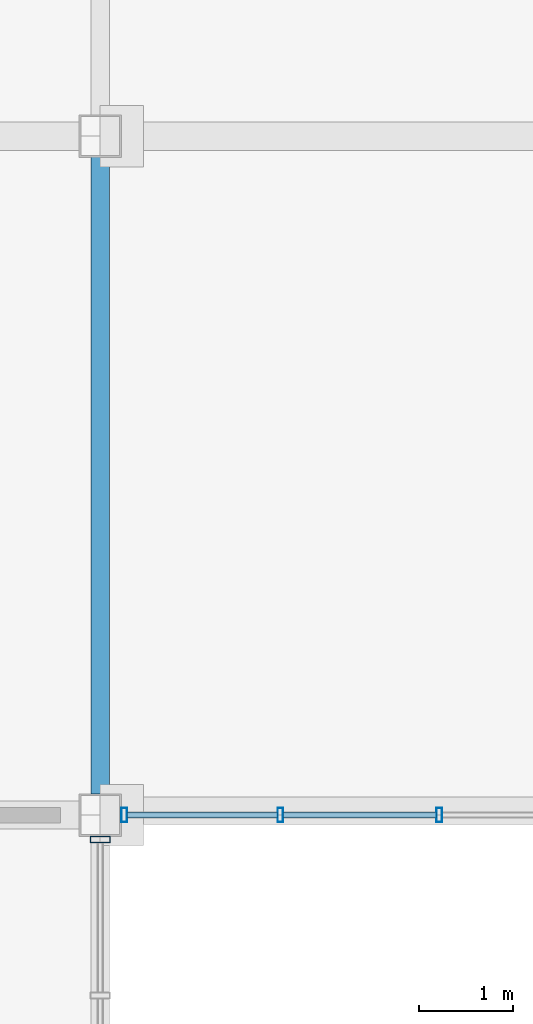
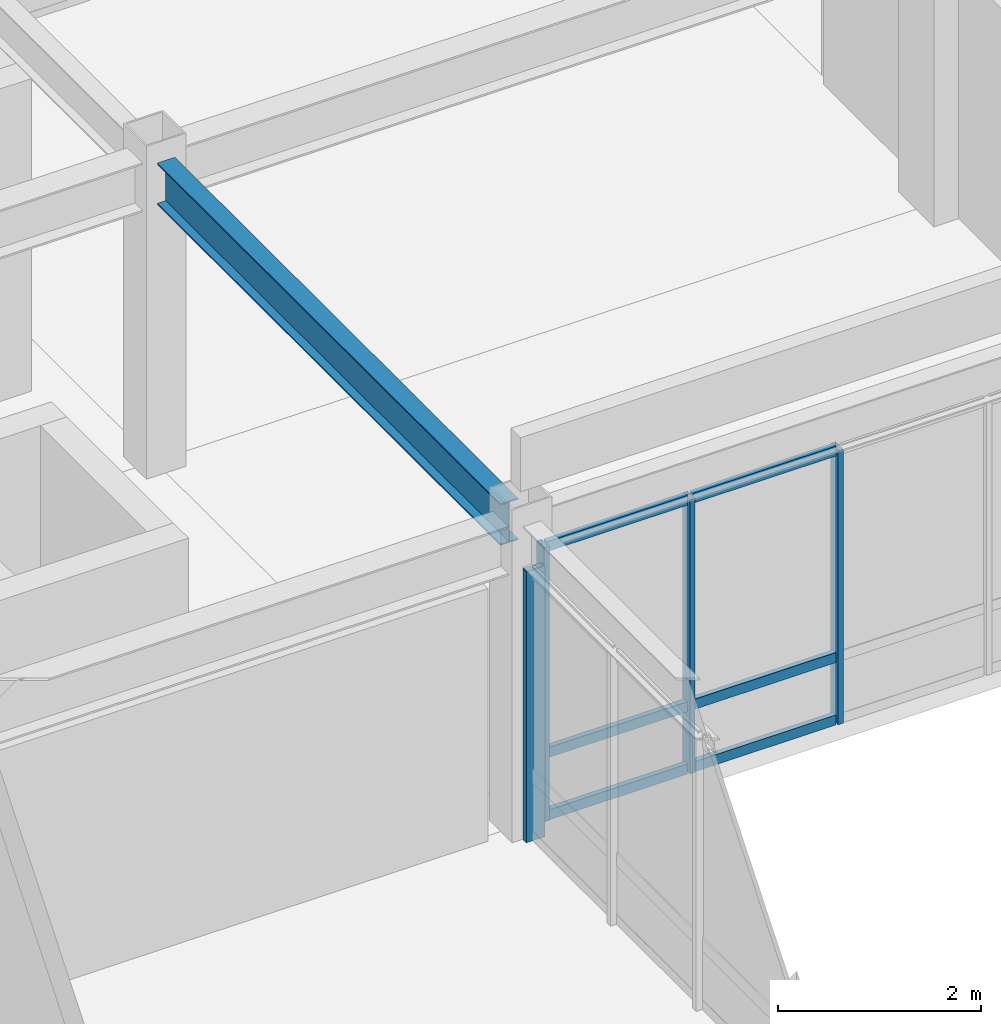
# One storey, part 76 of 122: 10 members, 1 beam, 2 elements without a shape of their own.
"""IFC4 building model written with IfcOpenShell, lengths in metres."""

from ifc_helpers import new_model, si_unit, direction, frame, origin, origin_2d, place, context, subcontext, project, spatial, hollow_rectangle, i_section, extrude, material, material_profile, profile_set, type_object, element, aggregate, save


model = new_model("IFC4")

# Units and contexts
model_context = context("Model", 3, precision=1e-05, world=origin(), true_north=direction((0.0, 1.0)))
body_context = subcontext(model_context, "Body", "Model", "MODEL_VIEW")
ifc_project = project(units=[si_unit("LENGTHUNIT", "METRE"), si_unit("AREAUNIT", "SQUARE_METRE"), si_unit("VOLUMEUNIT", "CUBIC_METRE"), si_unit("PLANEANGLEUNIT", "RADIAN"), si_unit("MASSUNIT", "GRAM", prefix="KILO")], contexts=[model_context])

# Site, building, storey
site_placement = place(None, origin())
site = spatial("IfcSite", under=ifc_project, at=site_placement, CompositionType="ELEMENT")
building_placement = place(site_placement, origin())
building = spatial("IfcBuilding", under=site, at=building_placement, Name="Kazanami Central Library", CompositionType="ELEMENT")
storey_placement = place(building_placement, frame((0.0, 0.0, 4.800048828125)))
storey = spatial("IfcBuildingStorey", under=building, at=storey_placement, Name="L02", CompositionType="ELEMENT", Elevation=4.800048828125)

# Beam
ifc_material_1 = material(Name="Steel SN490B (325 MPa)", Category="steel")
ifc_material_profile_1 = material_profile(ifc_material_1, i_section(OverallWidth=0.199951171875, OverallDepth=0.5, WebThickness=0.010009765625, FlangeThickness=0.01611328125, at=origin_2d()), Name="H-500x200x10x16")
ifc_profile_set_1 = profile_set([ifc_material_profile_1], Name="Steel SN490B (325 MPa)")
beam_type = type_object("IfcBeamType", Name="BM-G-Y2", PredefinedType="BEAM", material=ifc_profile_set_1)
beam_placement = place(storey_placement, frame((108.0, 65.02294921875, 3.5048828125), z_axis=(0.0, 1.0, 0.0), x_axis=(-1.0, 0.0, 0.0)))
element("IfcBeam", 1, at=beam_placement, inside=storey, type_object=beam_type, Name="Girder G-Y2 L02 13/K-L", PredefinedType="BEAM", context=body_context, shape_type="SweptSolid", body=[
    extrude(i_section(OverallWidth=0.199951171875, OverallDepth=0.5, WebThickness=0.010009765625, FlangeThickness=0.01611328125, at=origin_2d()), origin(), (0.0, 0.0, 1.0), 6.754150390625),
])

# Curtain wall, member
ifc_material_2 = material(Name="Acid-Etched Low-E Laminated Glass", Category="glass")
curtain_wall_type_1 = type_object("IfcCurtainWallType", Name="CW-6750x3255-M180", PredefinedType="USERDEFINED", material=ifc_material_2)
curtain_wall_1_placement = place(storey_placement, origin())
curtain_wall_1 = element("IfcCurtainWall", 2, at=curtain_wall_1_placement, inside=storey, type_object=curtain_wall_type_1, Name="Covered Link Bridge Curtain Wall CW-21 L02 E-13-08", ObjectType="UNITISED CURTAIN WALL", PredefinedType="USERDEFINED")
ifc_material_3 = material(Name="Anodised Aluminium A6063-T5", Category="aluminium")
ifc_material_profile_2 = material_profile(ifc_material_3, hollow_rectangle(XDim=0.070068359375, YDim=0.2099609375, WallThickness=0.0048828125, at=origin_2d()), Name="ALU-MULL-70x210x5")
ifc_profile_set_2 = profile_set([ifc_material_profile_2], Name="Anodised Aluminium A6063-T5")
member_type_1 = type_object("IfcMemberType", Name="MEM-CW-M1", PredefinedType="MULLION", material=ifc_profile_set_2)
member_1_placement = place(storey_placement, frame((108.0, 64.5400390625, 0.0), z_axis=(0.0, 0.0, 1.0), x_axis=(0.0, -1.0, 0.0)))
member_1 = element("IfcMember", 3, at=member_1_placement, type_object=member_type_1, Name="CW-21 mullion 1", PredefinedType="MULLION", context=body_context, shape_type="SweptSolid", body=[
    extrude(hollow_rectangle(XDim=0.070068359375, YDim=0.2099609375, WallThickness=0.0048828125, at=origin_2d()), origin(), (0.0, 0.0, 1.0), 3.2548828125),
])
aggregate(curtain_wall_1, [member_1])

# Curtain wall, members
curtain_wall_type_2 = type_object("IfcCurtainWallType", Name="CW-8425x3290-M180", PredefinedType="USERDEFINED", material=ifc_material_2)
curtain_wall_2_placement = place(storey_placement, origin())
curtain_wall_2 = element("IfcCurtainWall", 4, at=curtain_wall_2_placement, inside=storey, type_object=curtain_wall_type_2, Name="Covered Link Bridge Curtain Wall CW-18 L02 S-K-12", ObjectType="UNITISED CURTAIN WALL", PredefinedType="USERDEFINED")
ifc_material_profile_3 = material_profile(ifc_material_3, hollow_rectangle(XDim=0.06005859375, YDim=0.14990234375, WallThickness=0.00390625, at=origin_2d()), Name="ALU-MULL-60x150x4")
ifc_profile_set_3 = profile_set([ifc_material_profile_3], Name="Anodised Aluminium A6063-T5")
member_type_2 = type_object("IfcMemberType", Name="MEM-CW-M3", PredefinedType="MULLION", material=ifc_profile_set_3)
member_2_placement = place(storey_placement, frame((108.2548828125, 64.800048828125, 0.0), z_axis=(0.0, 0.0, 1.0), x_axis=(1.0, 0.0, 0.0)))
member_2 = element("IfcMember", 5, at=member_2_placement, type_object=member_type_2, Name="CW-18 mullion 1", PredefinedType="MULLION", context=body_context, shape_type="SweptSolid", body=[
    extrude(hollow_rectangle(XDim=0.06005859375, YDim=0.14990234375, WallThickness=0.00390625, at=origin_2d()), origin(), (0.0, 0.0, 1.0), 3.2900390625),
])
member_3_placement = place(storey_placement, frame((109.909912109375, 64.800048828125, 0.0), z_axis=(0.0, 0.0, 1.0), x_axis=(1.0, 0.0, 0.0)))
member_3 = element("IfcMember", 6, at=member_3_placement, type_object=member_type_2, Name="CW-18 mullion 2", PredefinedType="MULLION", context=body_context, shape_type="SweptSolid", body=[
    extrude(hollow_rectangle(XDim=0.06005859375, YDim=0.14990234375, WallThickness=0.00390625, at=origin_2d()), origin(), (0.0, 0.0, 1.0), 3.2900390625),
])
member_4_placement = place(storey_placement, frame((111.594970703125, 64.800048828125, 0.0), z_axis=(0.0, 0.0, 1.0), x_axis=(1.0, 0.0, 0.0)))
member_4 = element("IfcMember", 7, at=member_4_placement, type_object=member_type_2, Name="CW-18 mullion 3", PredefinedType="MULLION", context=body_context, shape_type="SweptSolid", body=[
    extrude(hollow_rectangle(XDim=0.06005859375, YDim=0.14990234375, WallThickness=0.00390625, at=origin_2d()), origin(), (0.0, 0.0, 1.0), 3.2900390625),
])
ifc_material_profile_4 = material_profile(ifc_material_3, hollow_rectangle(XDim=0.06005859375, YDim=0.1201171875, WallThickness=0.00341796875, at=origin_2d()), Name="ALU-TRAN-60x120x3.5")
ifc_profile_set_4 = profile_set([ifc_material_profile_4], Name="Anodised Aluminium A6063-T5")
member_type_3 = type_object("IfcMemberType", Name="MEM-CW-T3", PredefinedType="USERDEFINED", material=ifc_profile_set_4)
member_5_placement = place(storey_placement, frame((108.284912109375, 64.800048828125, 0.030029296875), z_axis=(1.0, 0.0, 0.0), x_axis=(0.0, 1.0, 0.0)))
member_5 = element("IfcMember", 8, at=member_5_placement, type_object=member_type_3, Name="CW-18 transom 1.1", ObjectType="TRANSOM", PredefinedType="USERDEFINED", context=body_context, shape_type="SweptSolid", body=[
    extrude(hollow_rectangle(XDim=0.06005859375, YDim=0.1201171875, WallThickness=0.00341796875, at=origin_2d()), origin(), (0.0, 0.0, 1.0), 1.594970703125),
])
member_6_placement = place(storey_placement, frame((108.284912109375, 64.800048828125, 0.780029296875), z_axis=(1.0, 0.0, 0.0), x_axis=(0.0, 1.0, 0.0)))
member_6 = element("IfcMember", 9, at=member_6_placement, type_object=member_type_3, Name="CW-18 transom 1.2", ObjectType="TRANSOM", PredefinedType="USERDEFINED", context=body_context, shape_type="SweptSolid", body=[
    extrude(hollow_rectangle(XDim=0.06005859375, YDim=0.1201171875, WallThickness=0.00341796875, at=origin_2d()), origin(), (0.0, 0.0, 1.0), 1.594970703125),
])
member_7_placement = place(storey_placement, frame((108.284912109375, 64.800048828125, 3.260009765625), z_axis=(1.0, 0.0, 0.0), x_axis=(0.0, 1.0, 0.0)))
member_7 = element("IfcMember", 10, at=member_7_placement, type_object=member_type_3, Name="CW-18 transom 1.3", ObjectType="TRANSOM", PredefinedType="USERDEFINED", context=body_context, shape_type="SweptSolid", body=[
    extrude(hollow_rectangle(XDim=0.06005859375, YDim=0.1201171875, WallThickness=0.00341796875, at=origin_2d()), origin(), (0.0, 0.0, 1.0), 1.594970703125),
])
member_8_placement = place(storey_placement, frame((109.93994140625, 64.800048828125, 0.030029296875), z_axis=(1.0, 0.0, 0.0), x_axis=(0.0, 1.0, 0.0)))
member_8 = element("IfcMember", 11, at=member_8_placement, type_object=member_type_3, Name="CW-18 transom 2.1", ObjectType="TRANSOM", PredefinedType="USERDEFINED", context=body_context, shape_type="SweptSolid", body=[
    extrude(hollow_rectangle(XDim=0.06005859375, YDim=0.1201171875, WallThickness=0.00341796875, at=origin_2d()), origin(), (0.0, 0.0, 1.0), 1.625),
])
member_9_placement = place(storey_placement, frame((109.93994140625, 64.800048828125, 0.780029296875), z_axis=(1.0, 0.0, 0.0), x_axis=(0.0, 1.0, 0.0)))
member_9 = element("IfcMember", 12, at=member_9_placement, type_object=member_type_3, Name="CW-18 transom 2.2", ObjectType="TRANSOM", PredefinedType="USERDEFINED", context=body_context, shape_type="SweptSolid", body=[
    extrude(hollow_rectangle(XDim=0.06005859375, YDim=0.1201171875, WallThickness=0.00341796875, at=origin_2d()), origin(), (0.0, 0.0, 1.0), 1.625),
])
member_10_placement = place(storey_placement, frame((109.93994140625, 64.800048828125, 3.260009765625), z_axis=(1.0, 0.0, 0.0), x_axis=(0.0, 1.0, 0.0)))
member_10 = element("IfcMember", 13, at=member_10_placement, type_object=member_type_3, Name="CW-18 transom 2.3", ObjectType="TRANSOM", PredefinedType="USERDEFINED", context=body_context, shape_type="SweptSolid", body=[
    extrude(hollow_rectangle(XDim=0.06005859375, YDim=0.1201171875, WallThickness=0.00341796875, at=origin_2d()), origin(), (0.0, 0.0, 1.0), 1.625),
])
aggregate(curtain_wall_2, [member_2, member_3, member_4, member_5, member_6, member_7, member_8, member_9, member_10])

save(model, "model.ifc")
